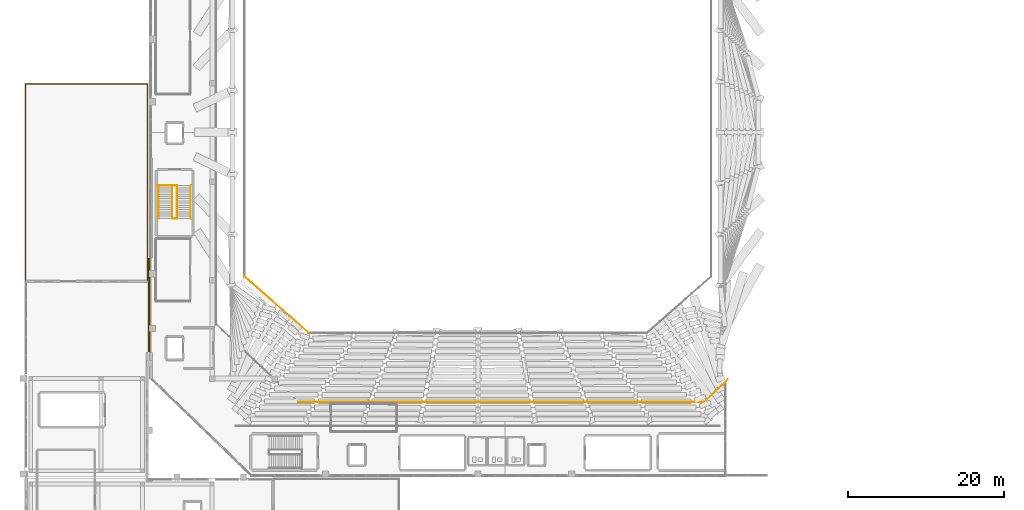
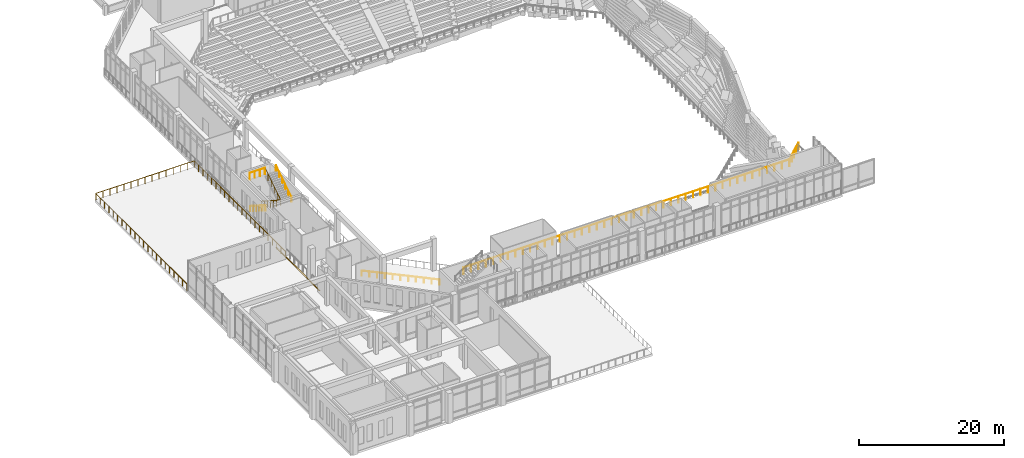
# One storey, part 51 of 55: 7 railings, 1 covering.
"""IFC4 building model written with IfcOpenShell, lengths in metres."""

from ifc_helpers import new_model, si_unit, derived_unit, direction, frame, origin, origin_2d, place, context, subcontext, project, spatial, polyline, circle, outline, extrude, material, layer, layer_set, type_object, element, save


model = new_model("IFC4")

# Units and contexts
model_context = context("Model", 3, precision=1e-05, world=origin(), true_north=direction((0.0, 1.0)))
body_context = subcontext(model_context, "Body", "Model", "MODEL_VIEW")
ifc_project = project(units=[si_unit("LENGTHUNIT", "METRE"), si_unit("AREAUNIT", "SQUARE_METRE"), si_unit("VOLUMEUNIT", "CUBIC_METRE"), si_unit("PLANEANGLEUNIT", "RADIAN"), si_unit("MASSUNIT", "GRAM", prefix="KILO"), derived_unit("THERMALTRANSMITTANCEUNIT", [(si_unit("MASSUNIT", "GRAM", prefix="KILO"), 1), (si_unit("TIMEUNIT", "SECOND"), -3), (si_unit("THERMODYNAMICTEMPERATUREUNIT", "KELVIN"), -1)])], contexts=[model_context])

# Site, building, storey
site_placement = place(None, origin())
site = spatial("IfcSite", under=ifc_project, at=site_placement, CompositionType="ELEMENT")
building_placement = place(site_placement, origin())
building = spatial("IfcBuilding", under=site, at=building_placement, Name="Valcora Ridge Arena", CompositionType="ELEMENT")
storey_placement = place(building_placement, frame((0.0, 0.0, 21.0)))
storey = spatial("IfcBuildingStorey", under=building, at=storey_placement, Name="L04", CompositionType="ELEMENT", Elevation=21.0)

# Covering
ifc_material_1 = material(Name="Steel ASTM A572 Grade 50", Category="steel")
ifc_layer = layer(ifc_material_1, 0.02001953125, Name="Steel ASTM A572 Grade 50")
ifc_layer_set = layer_set([ifc_layer], Name="Steel ASTM A572 Grade 50")
covering_type = type_object("IfcCoveringType", Name="TY-COVERING-COV-SJ-150", PredefinedType="FLOORING", material=ifc_layer_set)
covering_placement = place(storey_placement, frame((0.0, 0.0, -0.02001953125)))
element("IfcCovering", 1, at=covering_placement, inside=storey, type_object=covering_type, Name="COV-SJ-150 COV-SJ-0009", PredefinedType="FLOORING", context=body_context, shape_type="SweptSolid", body=[
    extrude(outline(polyline([(15.85009765625, 36.0), (16.0, 36.0), (16.0, 48.0), (15.85009765625, 48.0), (15.85009765625, 36.0)])), origin(), (0.0, 0.0, 1.0), 0.02001953125),
])

# Railings
ifc_material_2 = material(Name="Galvanized painted steel ASTM A500 Grade B", Category="steel")
railing_type_1 = type_object("IfcRailingType", Name="TY-RAILING-BAL-BOWL-850", PredefinedType="BALUSTRADE", material=ifc_material_2)
railing_1_placement = place(storey_placement, frame((28.14990234375, 45.64990234375, -7.60009765625)))
element("IfcRailing", 2, at=railing_1_placement, inside=storey, type_object=railing_type_1, Name="BAL-BOWL-850 RAL-BW-0024", PredefinedType="BALUSTRADE", context=body_context, shape_type="SweptSolid", body=[
    extrude(circle(Radius=0.02392578125, at=origin_2d()), frame((0.0, 0.0, 0.826171875), z_axis=(0.751450235134, -0.659789772667, 0.0), x_axis=(0.659789772667, 0.751450235134, 0.0)), (0.0, 0.0, 1.0), 10.91259765625),
    extrude(circle(Radius=0.02099609375, at=origin_2d()), origin(), (0.0, 0.0, 1.0), 0.802001953125),
    extrude(circle(Radius=0.02099609375, at=origin_2d()), frame((0.820068359375, -0.719970703125, 0.0)), (0.0, 0.0, 1.0), 0.802001953125),
    extrude(circle(Radius=0.02099609375, at=origin_2d()), frame((1.64013671875, -1.43994140625, 0.0)), (0.0, 0.0, 1.0), 0.802001953125),
    extrude(circle(Radius=0.02099609375, at=origin_2d()), frame((2.4599609375, -2.159912109375, 0.0)), (0.0, 0.0, 1.0), 0.802001953125),
    extrude(circle(Radius=0.02099609375, at=origin_2d()), frame((3.280029296875, -2.8798828125, 0.0)), (0.0, 0.0, 1.0), 0.802001953125),
    extrude(circle(Radius=0.02099609375, at=origin_2d()), frame((4.10009765625, -3.60009765625, 0.0)), (0.0, 0.0, 1.0), 0.802001953125),
    extrude(circle(Radius=0.02099609375, at=origin_2d()), frame((4.920166015625, -4.320068359375, 0.0)), (0.0, 0.0, 1.0), 0.802001953125),
    extrude(circle(Radius=0.02099609375, at=origin_2d()), frame((5.740234375, -5.0400390625, 0.0)), (0.0, 0.0, 1.0), 0.802001953125),
    extrude(circle(Radius=0.02099609375, at=origin_2d()), frame((6.56005859375, -5.760009765625, 0.0)), (0.0, 0.0, 1.0), 0.802001953125),
    extrude(circle(Radius=0.02099609375, at=origin_2d()), frame((7.380126953125, -6.47998046875, 0.0)), (0.0, 0.0, 1.0), 0.802001953125),
    extrude(circle(Radius=0.02099609375, at=origin_2d()), frame((8.2001953125, -7.199951171875, 0.0)), (0.0, 0.0, 1.0), 0.802001953125),
])
railing_type_2 = type_object("IfcRailingType", Name="TY-RAILING-GRD-STAIR-1120", PredefinedType="GUARDRAIL", material=ifc_material_2)
railing_2_placement = place(storey_placement, frame((18.89990234375, 57.2900390625, 0.0)))
element("IfcRailing", 3, at=railing_2_placement, inside=storey, type_object=railing_type_2, Name="GRD-STAIR-1120 RAL-SG-0055", PredefinedType="GUARDRAIL", context=body_context, shape_type="SweptSolid", body=[
    extrude(circle(Radius=0.02392578125, at=origin_2d()), frame((0.0, 0.0, 1.09619140625), z_axis=(0.0, -0.841180064094, 0.540755119968), x_axis=(1.0, 0.0, 0.0)), (0.0, 0.0, 1.0), 4.992919921875),
    extrude(circle(Radius=0.02392578125, at=origin_2d()), frame((0.0, -4.199951171875, 3.7958984375), z_axis=(1.0, 0.0, 0.0), x_axis=(0.0, 1.0, 0.0)), (0.0, 0.0, 1.0), 0.60009765625),
    extrude(circle(Radius=0.02392578125, at=origin_2d()), frame((0.60009765625, -4.199951171875, 3.7958984375), z_axis=(0.0, 0.841180064094, 0.540755119968), x_axis=(-1.0, 0.0, 0.0)), (0.0, 0.0, 1.0), 4.992919921875),
    extrude(circle(Radius=0.02099609375, at=origin_2d()), origin(), (0.0, 0.0, 1.0), 1.072021484375),
    extrude(circle(Radius=0.02099609375, at=origin_2d()), frame((0.0, -0.840087890625, 0.5400390625)), (0.0, 0.0, 1.0), 1.072021484375),
    extrude(circle(Radius=0.02099609375, at=origin_2d()), frame((0.0, -1.679931640625, 1.080078125)), (0.0, 0.0, 1.0), 1.072021484375),
    extrude(circle(Radius=0.02099609375, at=origin_2d()), frame((0.0, -2.52001953125, 1.619873046875)), (0.0, 0.0, 1.0), 1.072021484375),
    extrude(circle(Radius=0.02099609375, at=origin_2d()), frame((0.0, -3.35986328125, 2.159912109375)), (0.0, 0.0, 1.0), 1.072021484375),
    extrude(circle(Radius=0.02099609375, at=origin_2d()), frame((0.0, -4.199951171875, 2.699951171875)), (0.0, 0.0, 1.0), 1.072021484375),
    extrude(circle(Radius=0.02099609375, at=origin_2d()), frame((0.60009765625, -4.199951171875, 2.699951171875)), (0.0, 0.0, 1.0), 1.072021484375),
    extrude(circle(Radius=0.02099609375, at=origin_2d()), frame((0.60009765625, -3.35986328125, 3.239990234375)), (0.0, 0.0, 1.0), 1.072021484375),
    extrude(circle(Radius=0.02099609375, at=origin_2d()), frame((0.60009765625, -2.52001953125, 3.780029296875)), (0.0, 0.0, 1.0), 1.072021484375),
    extrude(circle(Radius=0.02099609375, at=origin_2d()), frame((0.60009765625, -1.679931640625, 4.31982421875)), (0.0, 0.0, 1.0), 1.072021484375),
    extrude(circle(Radius=0.02099609375, at=origin_2d()), frame((0.60009765625, -0.840087890625, 4.85986328125)), (0.0, 0.0, 1.0), 1.072021484375),
    extrude(circle(Radius=0.02099609375, at=origin_2d()), frame((0.60009765625, 0.0, 5.39990234375)), (0.0, 0.0, 1.0), 1.072021484375),
])
railing_3_placement = place(storey_placement, frame((17.050048828125, 57.2900390625, 5.39990234375)))
element("IfcRailing", 4, at=railing_3_placement, inside=storey, type_object=railing_type_2, Name="GRD-STAIR-1120 RAL-SG-0056", PredefinedType="GUARDRAIL", context=body_context, shape_type="SweptSolid", body=[
    extrude(circle(Radius=0.02392578125, at=origin_2d()), frame((0.0, 0.0, 1.09619140625), z_axis=(1.0, 0.0, 0.0), x_axis=(0.0, 1.0, 0.0)), (0.0, 0.0, 1.0), 2.449951171875),
    extrude(circle(Radius=0.02099609375, at=origin_2d()), origin(), (0.0, 0.0, 1.0), 1.072021484375),
    extrude(circle(Radius=0.02099609375, at=origin_2d()), frame((0.816650390625, 0.0, 0.0)), (0.0, 0.0, 1.0), 1.072021484375),
    extrude(circle(Radius=0.02099609375, at=origin_2d()), frame((1.63330078125, 0.0, 0.0)), (0.0, 0.0, 1.0), 1.072021484375),
    extrude(circle(Radius=0.02099609375, at=origin_2d()), frame((2.449951171875, 0.0, 0.0)), (0.0, 0.0, 1.0), 1.072021484375),
])
railing_type_3 = type_object("IfcRailingType", Name="TY-RAILING-GRD-TERR-1120", PredefinedType="GUARDRAIL", material=ifc_material_2)
railing_4_placement = place(storey_placement, frame((0.10009765625, 45.199951171875, 0.0)))
element("IfcRailing", 5, at=railing_4_placement, inside=storey, type_object=railing_type_3, Name="GRD-TERR-1120 RAL-TR-0004", PredefinedType="GUARDRAIL", context=body_context, shape_type="SweptSolid", body=[
    extrude(circle(Radius=0.02392578125, at=origin_2d()), frame((0.0, 0.0, 1.09619140625), z_axis=(0.0, 1.0, 0.0), x_axis=(-1.0, 0.0, 0.0)), (0.0, 0.0, 1.0), 25.10009765625),
    extrude(circle(Radius=0.02392578125, at=origin_2d()), frame((0.0, 25.10009765625, 1.09619140625), z_axis=(1.0, 0.0, 0.0), x_axis=(0.0, 1.0, 0.0)), (0.0, 0.0, 1.0), 15.64990234375),
    extrude(circle(Radius=0.02392578125, at=origin_2d()), frame((15.64990234375, 25.10009765625, 1.09619140625), z_axis=(0.0, -1.0, 0.0), x_axis=(1.0, 0.0, 0.0)), (0.0, 0.0, 1.0), 25.10009765625),
    extrude(circle(Radius=0.02099609375, at=origin_2d()), origin(), (0.0, 0.0, 1.0), 1.072021484375),
    extrude(circle(Radius=0.02099609375, at=origin_2d()), frame((0.0, 1.1953125, 0.0)), (0.0, 0.0, 1.0), 1.072021484375),
    extrude(circle(Radius=0.02099609375, at=origin_2d()), frame((0.0, 2.390380859375, 0.0)), (0.0, 0.0, 1.0), 1.072021484375),
    extrude(circle(Radius=0.02099609375, at=origin_2d()), frame((0.0, 3.585693359375, 0.0)), (0.0, 0.0, 1.0), 1.072021484375),
    extrude(circle(Radius=0.02099609375, at=origin_2d()), frame((0.0, 4.781005859375, 0.0)), (0.0, 0.0, 1.0), 1.072021484375),
    extrude(circle(Radius=0.02099609375, at=origin_2d()), frame((0.0, 5.976318359375, 0.0)), (0.0, 0.0, 1.0), 1.072021484375),
    extrude(circle(Radius=0.02099609375, at=origin_2d()), frame((0.0, 7.17138671875, 0.0)), (0.0, 0.0, 1.0), 1.072021484375),
    extrude(circle(Radius=0.02099609375, at=origin_2d()), frame((0.0, 8.36669921875, 0.0)), (0.0, 0.0, 1.0), 1.072021484375),
    extrude(circle(Radius=0.02099609375, at=origin_2d()), frame((0.0, 9.56201171875, 0.0)), (0.0, 0.0, 1.0), 1.072021484375),
    extrude(circle(Radius=0.02099609375, at=origin_2d()), frame((0.0, 10.757080078125, 0.0)), (0.0, 0.0, 1.0), 1.072021484375),
    extrude(circle(Radius=0.02099609375, at=origin_2d()), frame((0.0, 11.952392578125, 0.0)), (0.0, 0.0, 1.0), 1.072021484375),
    extrude(circle(Radius=0.02099609375, at=origin_2d()), frame((0.0, 13.147705078125, 0.0)), (0.0, 0.0, 1.0), 1.072021484375),
    extrude(circle(Radius=0.02099609375, at=origin_2d()), frame((0.0, 14.343017578125, 0.0)), (0.0, 0.0, 1.0), 1.072021484375),
    extrude(circle(Radius=0.02099609375, at=origin_2d()), frame((0.0, 15.5380859375, 0.0)), (0.0, 0.0, 1.0), 1.072021484375),
    extrude(circle(Radius=0.02099609375, at=origin_2d()), frame((0.0, 16.7333984375, 0.0)), (0.0, 0.0, 1.0), 1.072021484375),
    extrude(circle(Radius=0.02099609375, at=origin_2d()), frame((0.0, 17.9287109375, 0.0)), (0.0, 0.0, 1.0), 1.072021484375),
    extrude(circle(Radius=0.02099609375, at=origin_2d()), frame((0.0, 19.123779296875, 0.0)), (0.0, 0.0, 1.0), 1.072021484375),
    extrude(circle(Radius=0.02099609375, at=origin_2d()), frame((0.0, 20.319091796875, 0.0)), (0.0, 0.0, 1.0), 1.072021484375),
    extrude(circle(Radius=0.02099609375, at=origin_2d()), frame((0.0, 21.514404296875, 0.0)), (0.0, 0.0, 1.0), 1.072021484375),
    extrude(circle(Radius=0.02099609375, at=origin_2d()), frame((0.0, 22.709716796875, 0.0)), (0.0, 0.0, 1.0), 1.072021484375),
    extrude(circle(Radius=0.02099609375, at=origin_2d()), frame((0.0, 23.90478515625, 0.0)), (0.0, 0.0, 1.0), 1.072021484375),
    extrude(circle(Radius=0.02099609375, at=origin_2d()), frame((0.0, 25.10009765625, 0.0)), (0.0, 0.0, 1.0), 1.072021484375),
    extrude(circle(Radius=0.02099609375, at=origin_2d()), frame((1.117919921875, 25.10009765625, 0.0)), (0.0, 0.0, 1.0), 1.072021484375),
    extrude(circle(Radius=0.02099609375, at=origin_2d()), frame((2.235595703125, 25.10009765625, 0.0)), (0.0, 0.0, 1.0), 1.072021484375),
    extrude(circle(Radius=0.02099609375, at=origin_2d()), frame((3.353515625, 25.10009765625, 0.0)), (0.0, 0.0, 1.0), 1.072021484375),
    extrude(circle(Radius=0.02099609375, at=origin_2d()), frame((4.471435546875, 25.10009765625, 0.0)), (0.0, 0.0, 1.0), 1.072021484375),
    extrude(circle(Radius=0.02099609375, at=origin_2d()), frame((5.58935546875, 25.10009765625, 0.0)), (0.0, 0.0, 1.0), 1.072021484375),
    extrude(circle(Radius=0.02099609375, at=origin_2d()), frame((6.70703125, 25.10009765625, 0.0)), (0.0, 0.0, 1.0), 1.072021484375),
    extrude(circle(Radius=0.02099609375, at=origin_2d()), frame((7.824951171875, 25.10009765625, 0.0)), (0.0, 0.0, 1.0), 1.072021484375),
    extrude(circle(Radius=0.02099609375, at=origin_2d()), frame((8.94287109375, 25.10009765625, 0.0)), (0.0, 0.0, 1.0), 1.072021484375),
    extrude(circle(Radius=0.02099609375, at=origin_2d()), frame((10.060546875, 25.10009765625, 0.0)), (0.0, 0.0, 1.0), 1.072021484375),
    extrude(circle(Radius=0.02099609375, at=origin_2d()), frame((11.178466796875, 25.10009765625, 0.0)), (0.0, 0.0, 1.0), 1.072021484375),
    extrude(circle(Radius=0.02099609375, at=origin_2d()), frame((12.29638671875, 25.10009765625, 0.0)), (0.0, 0.0, 1.0), 1.072021484375),
    extrude(circle(Radius=0.02099609375, at=origin_2d()), frame((13.414306640625, 25.10009765625, 0.0)), (0.0, 0.0, 1.0), 1.072021484375),
    extrude(circle(Radius=0.02099609375, at=origin_2d()), frame((14.531982421875, 25.10009765625, 0.0)), (0.0, 0.0, 1.0), 1.072021484375),
    extrude(circle(Radius=0.02099609375, at=origin_2d()), frame((15.64990234375, 25.10009765625, 0.0)), (0.0, 0.0, 1.0), 1.072021484375),
    extrude(circle(Radius=0.02099609375, at=origin_2d()), frame((15.64990234375, 23.90478515625, 0.0)), (0.0, 0.0, 1.0), 1.072021484375),
    extrude(circle(Radius=0.02099609375, at=origin_2d()), frame((15.64990234375, 22.709716796875, 0.0)), (0.0, 0.0, 1.0), 1.072021484375),
    extrude(circle(Radius=0.02099609375, at=origin_2d()), frame((15.64990234375, 21.514404296875, 0.0)), (0.0, 0.0, 1.0), 1.072021484375),
    extrude(circle(Radius=0.02099609375, at=origin_2d()), frame((15.64990234375, 20.319091796875, 0.0)), (0.0, 0.0, 1.0), 1.072021484375),
    extrude(circle(Radius=0.02099609375, at=origin_2d()), frame((15.64990234375, 19.123779296875, 0.0)), (0.0, 0.0, 1.0), 1.072021484375),
    extrude(circle(Radius=0.02099609375, at=origin_2d()), frame((15.64990234375, 17.9287109375, 0.0)), (0.0, 0.0, 1.0), 1.072021484375),
    extrude(circle(Radius=0.02099609375, at=origin_2d()), frame((15.64990234375, 16.7333984375, 0.0)), (0.0, 0.0, 1.0), 1.072021484375),
    extrude(circle(Radius=0.02099609375, at=origin_2d()), frame((15.64990234375, 15.5380859375, 0.0)), (0.0, 0.0, 1.0), 1.072021484375),
    extrude(circle(Radius=0.02099609375, at=origin_2d()), frame((15.64990234375, 14.343017578125, 0.0)), (0.0, 0.0, 1.0), 1.072021484375),
    extrude(circle(Radius=0.02099609375, at=origin_2d()), frame((15.64990234375, 13.147705078125, 0.0)), (0.0, 0.0, 1.0), 1.072021484375),
    extrude(circle(Radius=0.02099609375, at=origin_2d()), frame((15.64990234375, 11.952392578125, 0.0)), (0.0, 0.0, 1.0), 1.072021484375),
    extrude(circle(Radius=0.02099609375, at=origin_2d()), frame((15.64990234375, 10.757080078125, 0.0)), (0.0, 0.0, 1.0), 1.072021484375),
    extrude(circle(Radius=0.02099609375, at=origin_2d()), frame((15.64990234375, 9.56201171875, 0.0)), (0.0, 0.0, 1.0), 1.072021484375),
    extrude(circle(Radius=0.02099609375, at=origin_2d()), frame((15.64990234375, 8.36669921875, 0.0)), (0.0, 0.0, 1.0), 1.072021484375),
    extrude(circle(Radius=0.02099609375, at=origin_2d()), frame((15.64990234375, 7.17138671875, 0.0)), (0.0, 0.0, 1.0), 1.072021484375),
    extrude(circle(Radius=0.02099609375, at=origin_2d()), frame((15.64990234375, 5.976318359375, 0.0)), (0.0, 0.0, 1.0), 1.072021484375),
    extrude(circle(Radius=0.02099609375, at=origin_2d()), frame((15.64990234375, 4.781005859375, 0.0)), (0.0, 0.0, 1.0), 1.072021484375),
    extrude(circle(Radius=0.02099609375, at=origin_2d()), frame((15.64990234375, 3.585693359375, 0.0)), (0.0, 0.0, 1.0), 1.072021484375),
    extrude(circle(Radius=0.02099609375, at=origin_2d()), frame((15.64990234375, 2.390380859375, 0.0)), (0.0, 0.0, 1.0), 1.072021484375),
    extrude(circle(Radius=0.02099609375, at=origin_2d()), frame((15.64990234375, 1.1953125, 0.0)), (0.0, 0.0, 1.0), 1.072021484375),
    extrude(circle(Radius=0.02099609375, at=origin_2d()), frame((15.64990234375, 0.0, 0.0)), (0.0, 0.0, 1.0), 1.072021484375),
])
railing_type_4 = type_object("IfcRailingType", Name="TY-RAILING-GRD-VOID-1120", PredefinedType="GUARDRAIL", material=ifc_material_2)
railing_5_placement = place(storey_placement, frame((89.977294921875, 32.464111328125, 0.0)))
element("IfcRailing", 6, at=railing_5_placement, inside=storey, type_object=railing_type_4, Name="GRD-VOID-1120 RAL-DK-0012", PredefinedType="GUARDRAIL", context=body_context, shape_type="SweptSolid", body=[
    extrude(circle(Radius=0.02392578125, at=origin_2d()), frame((0.0, 0.0, 1.09619140625), z_axis=(-0.727582670629, -0.686020012391, 0.0), x_axis=(0.686020012391, -0.727582670629, 0.0)), (0.0, 0.0, 1.0), 4.13525390625),
    extrude(circle(Radius=0.02392578125, at=origin_2d()), frame((-3.0087890625, -2.8369140625, 1.09619140625), z_axis=(-0.757409961601, -0.652939622069, 0.0), x_axis=(0.652939622069, -0.757409961601, 0.0)), (0.0, 0.0, 1.0), 0.00927734375),
    extrude(circle(Radius=0.02392578125, at=origin_2d()), frame((-3.015869140625, -2.843017578125, 1.09619140625), z_axis=(-0.812015371343, -0.583636048153, 0.0), x_axis=(0.583636048153, -0.812015371343, 0.0)), (0.0, 0.0, 1.0), 0.009521484375),
    extrude(circle(Radius=0.02392578125, at=origin_2d()), frame((-3.023681640625, -2.8486328125, 1.09619140625), z_axis=(-0.877895572914, -0.478852130681, 0.0), x_axis=(0.478852130681, -0.877895572914, 0.0)), (0.0, 0.0, 1.0), 0.00927734375),
    extrude(circle(Radius=0.02392578125, at=origin_2d()), frame((-3.03173828125, -2.85302734375, 1.09619140625), z_axis=(-0.909474475586, -0.415759760268, 0.0), x_axis=(0.415759760268, -0.909474475586, 0.0)), (0.0, 0.0, 1.0), 0.00927734375),
    extrude(circle(Radius=0.02392578125, at=origin_2d()), frame((-3.040283203125, -2.85693359375, 1.09619140625), z_axis=(-0.943460139651, -0.331485995013, 0.0), x_axis=(0.331485995013, -0.943460139651, 0.0)), (0.0, 0.0, 1.0), 0.009521484375),
    extrude(circle(Radius=0.02392578125, at=origin_2d()), frame((-3.04931640625, -2.860107421875, 1.09619140625), z_axis=(-0.97308028749, -0.230466383879, 0.0), x_axis=(0.230466383879, -0.97308028749, 0.0)), (0.0, 0.0, 1.0), 0.009521484375),
    extrude(circle(Radius=0.02392578125, at=origin_2d()), frame((-3.05859375, -2.8623046875, 1.09619140625), z_axis=(-0.987762965329, -0.155962573473, 0.0), x_axis=(0.155962573473, -0.987762965329, 0.0)), (0.0, 0.0, 1.0), 0.00927734375),
    extrude(circle(Radius=0.02392578125, at=origin_2d()), frame((-3.06787109375, -2.86376953125, 1.09619140625), z_axis=(-0.999671430909, -0.025632600793, 0.0), x_axis=(0.025632600793, -0.999671430909, 0.0)), (0.0, 0.0, 1.0), 0.009521484375),
    extrude(circle(Radius=0.02392578125, at=origin_2d()), frame((-3.077392578125, -2.864013671875, 1.09619140625), z_axis=(-1.0, 0.0, 0.0), x_axis=(0.0, -1.0, 0.0)), (0.0, 0.0, 1.0), 51.7998046875),
    extrude(circle(Radius=0.02392578125, at=origin_2d()), frame((-54.877197265625, -2.864013671875, 1.09619140625), z_axis=(-0.999671430909, 0.025632600793, 0.0), x_axis=(-0.025632600793, -0.999671430909, 0.0)), (0.0, 0.0, 1.0), 0.009521484375),
    extrude(circle(Radius=0.02392578125, at=origin_2d()), frame((-54.88671875, -2.86376953125, 1.09619140625), z_axis=(-0.987762965329, 0.155962573473, 0.0), x_axis=(-0.155962573473, -0.987762965329, 0.0)), (0.0, 0.0, 1.0), 0.00927734375),
    extrude(circle(Radius=0.02392578125, at=origin_2d()), frame((-54.89599609375, -2.8623046875, 1.09619140625), z_axis=(-0.97308028749, 0.230466383879, 0.0), x_axis=(-0.230466383879, -0.97308028749, 0.0)), (0.0, 0.0, 1.0), 0.009521484375),
    extrude(circle(Radius=0.02392578125, at=origin_2d()), frame((-54.9052734375, -2.860107421875, 1.09619140625), z_axis=(-0.943460139651, 0.331485995013, 0.0), x_axis=(-0.331485995013, -0.943460139651, 0.0)), (0.0, 0.0, 1.0), 0.009521484375),
    extrude(circle(Radius=0.02392578125, at=origin_2d()), frame((-54.914306640625, -2.85693359375, 1.09619140625), z_axis=(-0.909474475586, 0.415759760268, 0.0), x_axis=(-0.415759760268, -0.909474475586, 0.0)), (0.0, 0.0, 1.0), 0.00927734375),
    extrude(circle(Radius=0.02392578125, at=origin_2d()), frame((-54.9228515625, -2.85302734375, 1.09619140625), z_axis=(-0.877895572914, 0.478852130681, 0.0), x_axis=(-0.478852130681, -0.877895572914, 0.0)), (0.0, 0.0, 1.0), 0.00927734375),
    extrude(circle(Radius=0.02392578125, at=origin_2d()), frame((-54.930908203125, -2.8486328125, 1.09619140625), z_axis=(-0.812015371343, 0.583636048153, 0.0), x_axis=(-0.583636048153, -0.812015371343, 0.0)), (0.0, 0.0, 1.0), 0.009521484375),
    extrude(circle(Radius=0.02392578125, at=origin_2d()), frame((-54.938720703125, -2.843017578125, 1.09619140625), z_axis=(-0.757409961601, 0.652939622069, 0.0), x_axis=(-0.652939622069, -0.757409961601, 0.0)), (0.0, 0.0, 1.0), 0.00927734375),
    extrude(circle(Radius=0.02099609375, at=origin_2d()), origin(), (0.0, 0.0, 1.0), 1.072021484375),
    extrude(circle(Radius=0.02099609375, at=origin_2d()), frame((-0.752197265625, -0.709228515625, 0.0)), (0.0, 0.0, 1.0), 1.072021484375),
    extrude(circle(Radius=0.02099609375, at=origin_2d()), frame((-1.50439453125, -1.41845703125, 0.0)), (0.0, 0.0, 1.0), 1.072021484375),
    extrude(circle(Radius=0.02099609375, at=origin_2d()), frame((-2.256591796875, -2.127685546875, 0.0)), (0.0, 0.0, 1.0), 1.072021484375),
    extrude(circle(Radius=0.02099609375, at=origin_2d()), frame((-3.0087890625, -2.8369140625, 0.0)), (0.0, 0.0, 1.0), 1.072021484375),
    extrude(circle(Radius=0.02099609375, at=origin_2d()), frame((-3.015869140625, -2.843017578125, 0.0)), (0.0, 0.0, 1.0), 1.072021484375),
    extrude(circle(Radius=0.02099609375, at=origin_2d()), frame((-3.023681640625, -2.8486328125, 0.0)), (0.0, 0.0, 1.0), 1.072021484375),
    extrude(circle(Radius=0.02099609375, at=origin_2d()), frame((-3.03173828125, -2.85302734375, 0.0)), (0.0, 0.0, 1.0), 1.072021484375),
    extrude(circle(Radius=0.02099609375, at=origin_2d()), frame((-3.040283203125, -2.85693359375, 0.0)), (0.0, 0.0, 1.0), 1.072021484375),
    extrude(circle(Radius=0.02099609375, at=origin_2d()), frame((-3.04931640625, -2.860107421875, 0.0)), (0.0, 0.0, 1.0), 1.072021484375),
    extrude(circle(Radius=0.02099609375, at=origin_2d()), frame((-3.05859375, -2.8623046875, 0.0)), (0.0, 0.0, 1.0), 1.072021484375),
    extrude(circle(Radius=0.02099609375, at=origin_2d()), frame((-3.06787109375, -2.86376953125, 0.0)), (0.0, 0.0, 1.0), 1.072021484375),
    extrude(circle(Radius=0.02099609375, at=origin_2d()), frame((-3.077392578125, -2.864013671875, 0.0)), (0.0, 0.0, 1.0), 1.072021484375),
    extrude(circle(Radius=0.02099609375, at=origin_2d()), frame((-4.254638671875, -2.864013671875, 0.0)), (0.0, 0.0, 1.0), 1.072021484375),
    extrude(circle(Radius=0.02099609375, at=origin_2d()), frame((-5.431884765625, -2.864013671875, 0.0)), (0.0, 0.0, 1.0), 1.072021484375),
    extrude(circle(Radius=0.02099609375, at=origin_2d()), frame((-6.609130859375, -2.864013671875, 0.0)), (0.0, 0.0, 1.0), 1.072021484375),
    extrude(circle(Radius=0.02099609375, at=origin_2d()), frame((-7.786376953125, -2.864013671875, 0.0)), (0.0, 0.0, 1.0), 1.072021484375),
    extrude(circle(Radius=0.02099609375, at=origin_2d()), frame((-8.963623046875, -2.864013671875, 0.0)), (0.0, 0.0, 1.0), 1.072021484375),
    extrude(circle(Radius=0.02099609375, at=origin_2d()), frame((-10.14111328125, -2.864013671875, 0.0)), (0.0, 0.0, 1.0), 1.072021484375),
    extrude(circle(Radius=0.02099609375, at=origin_2d()), frame((-11.318359375, -2.864013671875, 0.0)), (0.0, 0.0, 1.0), 1.072021484375),
    extrude(circle(Radius=0.02099609375, at=origin_2d()), frame((-12.49560546875, -2.864013671875, 0.0)), (0.0, 0.0, 1.0), 1.072021484375),
    extrude(circle(Radius=0.02099609375, at=origin_2d()), frame((-13.6728515625, -2.864013671875, 0.0)), (0.0, 0.0, 1.0), 1.072021484375),
    extrude(circle(Radius=0.02099609375, at=origin_2d()), frame((-14.85009765625, -2.864013671875, 0.0)), (0.0, 0.0, 1.0), 1.072021484375),
    extrude(circle(Radius=0.02099609375, at=origin_2d()), frame((-16.02734375, -2.864013671875, 0.0)), (0.0, 0.0, 1.0), 1.072021484375),
    extrude(circle(Radius=0.02099609375, at=origin_2d()), frame((-17.20458984375, -2.864013671875, 0.0)), (0.0, 0.0, 1.0), 1.072021484375),
    extrude(circle(Radius=0.02099609375, at=origin_2d()), frame((-18.3818359375, -2.864013671875, 0.0)), (0.0, 0.0, 1.0), 1.072021484375),
    extrude(circle(Radius=0.02099609375, at=origin_2d()), frame((-19.55908203125, -2.864013671875, 0.0)), (0.0, 0.0, 1.0), 1.072021484375),
    extrude(circle(Radius=0.02099609375, at=origin_2d()), frame((-20.736328125, -2.864013671875, 0.0)), (0.0, 0.0, 1.0), 1.072021484375),
    extrude(circle(Radius=0.02099609375, at=origin_2d()), frame((-21.91357421875, -2.864013671875, 0.0)), (0.0, 0.0, 1.0), 1.072021484375),
    extrude(circle(Radius=0.02099609375, at=origin_2d()), frame((-23.091064453125, -2.864013671875, 0.0)), (0.0, 0.0, 1.0), 1.072021484375),
    extrude(circle(Radius=0.02099609375, at=origin_2d()), frame((-24.268310546875, -2.864013671875, 0.0)), (0.0, 0.0, 1.0), 1.072021484375),
    extrude(circle(Radius=0.02099609375, at=origin_2d()), frame((-25.445556640625, -2.864013671875, 0.0)), (0.0, 0.0, 1.0), 1.072021484375),
    extrude(circle(Radius=0.02099609375, at=origin_2d()), frame((-26.622802734375, -2.864013671875, 0.0)), (0.0, 0.0, 1.0), 1.072021484375),
    extrude(circle(Radius=0.02099609375, at=origin_2d()), frame((-27.800048828125, -2.864013671875, 0.0)), (0.0, 0.0, 1.0), 1.072021484375),
    extrude(circle(Radius=0.02099609375, at=origin_2d()), frame((-28.977294921875, -2.864013671875, 0.0)), (0.0, 0.0, 1.0), 1.072021484375),
    extrude(circle(Radius=0.02099609375, at=origin_2d()), frame((-30.154541015625, -2.864013671875, 0.0)), (0.0, 0.0, 1.0), 1.072021484375),
    extrude(circle(Radius=0.02099609375, at=origin_2d()), frame((-31.331787109375, -2.864013671875, 0.0)), (0.0, 0.0, 1.0), 1.072021484375),
    extrude(circle(Radius=0.02099609375, at=origin_2d()), frame((-32.509033203125, -2.864013671875, 0.0)), (0.0, 0.0, 1.0), 1.072021484375),
    extrude(circle(Radius=0.02099609375, at=origin_2d()), frame((-33.686279296875, -2.864013671875, 0.0)), (0.0, 0.0, 1.0), 1.072021484375),
    extrude(circle(Radius=0.02099609375, at=origin_2d()), frame((-34.863525390625, -2.864013671875, 0.0)), (0.0, 0.0, 1.0), 1.072021484375),
    extrude(circle(Radius=0.02099609375, at=origin_2d()), frame((-36.041015625, -2.864013671875, 0.0)), (0.0, 0.0, 1.0), 1.072021484375),
    extrude(circle(Radius=0.02099609375, at=origin_2d()), frame((-37.21826171875, -2.864013671875, 0.0)), (0.0, 0.0, 1.0), 1.072021484375),
    extrude(circle(Radius=0.02099609375, at=origin_2d()), frame((-38.3955078125, -2.864013671875, 0.0)), (0.0, 0.0, 1.0), 1.072021484375),
    extrude(circle(Radius=0.02099609375, at=origin_2d()), frame((-39.57275390625, -2.864013671875, 0.0)), (0.0, 0.0, 1.0), 1.072021484375),
    extrude(circle(Radius=0.02099609375, at=origin_2d()), frame((-40.75, -2.864013671875, 0.0)), (0.0, 0.0, 1.0), 1.072021484375),
    extrude(circle(Radius=0.02099609375, at=origin_2d()), frame((-41.92724609375, -2.864013671875, 0.0)), (0.0, 0.0, 1.0), 1.072021484375),
    extrude(circle(Radius=0.02099609375, at=origin_2d()), frame((-43.1044921875, -2.864013671875, 0.0)), (0.0, 0.0, 1.0), 1.072021484375),
    extrude(circle(Radius=0.02099609375, at=origin_2d()), frame((-44.28173828125, -2.864013671875, 0.0)), (0.0, 0.0, 1.0), 1.072021484375),
    extrude(circle(Radius=0.02099609375, at=origin_2d()), frame((-45.458984375, -2.864013671875, 0.0)), (0.0, 0.0, 1.0), 1.072021484375),
    extrude(circle(Radius=0.02099609375, at=origin_2d()), frame((-46.63623046875, -2.864013671875, 0.0)), (0.0, 0.0, 1.0), 1.072021484375),
    extrude(circle(Radius=0.02099609375, at=origin_2d()), frame((-47.8134765625, -2.864013671875, 0.0)), (0.0, 0.0, 1.0), 1.072021484375),
    extrude(circle(Radius=0.02099609375, at=origin_2d()), frame((-48.990966796875, -2.864013671875, 0.0)), (0.0, 0.0, 1.0), 1.072021484375),
    extrude(circle(Radius=0.02099609375, at=origin_2d()), frame((-50.168212890625, -2.864013671875, 0.0)), (0.0, 0.0, 1.0), 1.072021484375),
    extrude(circle(Radius=0.02099609375, at=origin_2d()), frame((-51.345458984375, -2.864013671875, 0.0)), (0.0, 0.0, 1.0), 1.072021484375),
    extrude(circle(Radius=0.02099609375, at=origin_2d()), frame((-52.522705078125, -2.864013671875, 0.0)), (0.0, 0.0, 1.0), 1.072021484375),
    extrude(circle(Radius=0.02099609375, at=origin_2d()), frame((-53.699951171875, -2.864013671875, 0.0)), (0.0, 0.0, 1.0), 1.072021484375),
    extrude(circle(Radius=0.02099609375, at=origin_2d()), frame((-54.877197265625, -2.864013671875, 0.0)), (0.0, 0.0, 1.0), 1.072021484375),
    extrude(circle(Radius=0.02099609375, at=origin_2d()), frame((-54.88671875, -2.86376953125, 0.0)), (0.0, 0.0, 1.0), 1.072021484375),
    extrude(circle(Radius=0.02099609375, at=origin_2d()), frame((-54.89599609375, -2.8623046875, 0.0)), (0.0, 0.0, 1.0), 1.072021484375),
    extrude(circle(Radius=0.02099609375, at=origin_2d()), frame((-54.9052734375, -2.860107421875, 0.0)), (0.0, 0.0, 1.0), 1.072021484375),
    extrude(circle(Radius=0.02099609375, at=origin_2d()), frame((-54.914306640625, -2.85693359375, 0.0)), (0.0, 0.0, 1.0), 1.072021484375),
    extrude(circle(Radius=0.02099609375, at=origin_2d()), frame((-54.9228515625, -2.85302734375, 0.0)), (0.0, 0.0, 1.0), 1.072021484375),
    extrude(circle(Radius=0.02099609375, at=origin_2d()), frame((-54.930908203125, -2.8486328125, 0.0)), (0.0, 0.0, 1.0), 1.072021484375),
    extrude(circle(Radius=0.02099609375, at=origin_2d()), frame((-54.938720703125, -2.843017578125, 0.0)), (0.0, 0.0, 1.0), 1.072021484375),
    extrude(circle(Radius=0.02099609375, at=origin_2d()), frame((-54.94580078125, -2.8369140625, 0.0)), (0.0, 0.0, 1.0), 1.072021484375),
])
railing_type_5 = type_object("IfcRailingType", Name="TY-RAILING-HR-STAIR-900", PredefinedType="HANDRAIL", material=ifc_material_2)
railing_6_placement = place(storey_placement, frame((17.139892578125, 57.2900390625, 0.0)))
element("IfcRailing", 7, at=railing_6_placement, inside=storey, type_object=railing_type_5, Name="HR-STAIR-900 RAL-SH-0055", PredefinedType="HANDRAIL", context=body_context, shape_type="SweptSolid", body=[
    extrude(circle(Radius=0.02392578125, at=origin_2d()), frame((0.0, 0.0, 0.8759765625), z_axis=(0.0, -0.841180064094, 0.540755119968), x_axis=(1.0, 0.0, 0.0)), (0.0, 0.0, 1.0), 4.992919921875),
    extrude(circle(Radius=0.02099609375, at=origin_2d()), origin(), (0.0, 0.0, 1.0), 0.851806640625),
    extrude(circle(Radius=0.02099609375, at=origin_2d()), frame((0.0, -0.840087890625, 0.5400390625)), (0.0, 0.0, 1.0), 0.851806640625),
    extrude(circle(Radius=0.02099609375, at=origin_2d()), frame((0.0, -1.679931640625, 1.080078125)), (0.0, 0.0, 1.0), 0.851806640625),
    extrude(circle(Radius=0.02099609375, at=origin_2d()), frame((0.0, -2.52001953125, 1.619873046875)), (0.0, 0.0, 1.0), 0.851806640625),
    extrude(circle(Radius=0.02099609375, at=origin_2d()), frame((0.0, -3.35986328125, 2.159912109375)), (0.0, 0.0, 1.0), 0.851806640625),
    extrude(circle(Radius=0.02099609375, at=origin_2d()), frame((0.0, -4.199951171875, 2.699951171875)), (0.0, 0.0, 1.0), 0.851806640625),
])
railing_7_placement = place(storey_placement, frame((21.260009765625, 53.090087890625, 2.699951171875)))
element("IfcRailing", 8, at=railing_7_placement, inside=storey, type_object=railing_type_5, Name="HR-STAIR-900 RAL-SH-0056", PredefinedType="HANDRAIL", context=body_context, shape_type="SweptSolid", body=[
    extrude(circle(Radius=0.02392578125, at=origin_2d()), frame((0.0, 0.0, 0.8759765625), z_axis=(0.0, 0.841180064094, 0.540755119968), x_axis=(-1.0, 0.0, 0.0)), (0.0, 0.0, 1.0), 4.992919921875),
    extrude(circle(Radius=0.02099609375, at=origin_2d()), origin(), (0.0, 0.0, 1.0), 0.851806640625),
    extrude(circle(Radius=0.02099609375, at=origin_2d()), frame((0.0, 0.840087890625, 0.5400390625)), (0.0, 0.0, 1.0), 0.851806640625),
    extrude(circle(Radius=0.02099609375, at=origin_2d()), frame((0.0, 1.679931640625, 1.080078125)), (0.0, 0.0, 1.0), 0.851806640625),
    extrude(circle(Radius=0.02099609375, at=origin_2d()), frame((0.0, 2.52001953125, 1.619873046875)), (0.0, 0.0, 1.0), 0.851806640625),
    extrude(circle(Radius=0.02099609375, at=origin_2d()), frame((0.0, 3.35986328125, 2.159912109375)), (0.0, 0.0, 1.0), 0.851806640625),
    extrude(circle(Radius=0.02099609375, at=origin_2d()), frame((0.0, 4.199951171875, 2.699951171875)), (0.0, 0.0, 1.0), 0.851806640625),
])

save(model, "model.ifc")
